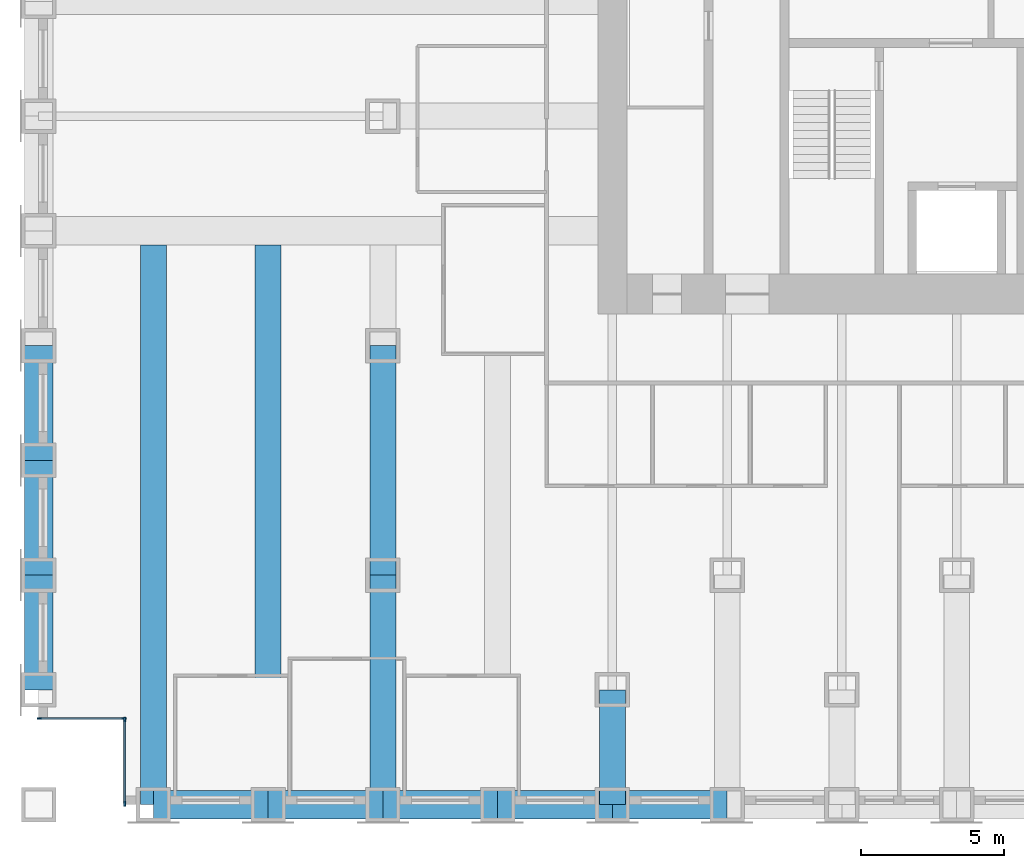
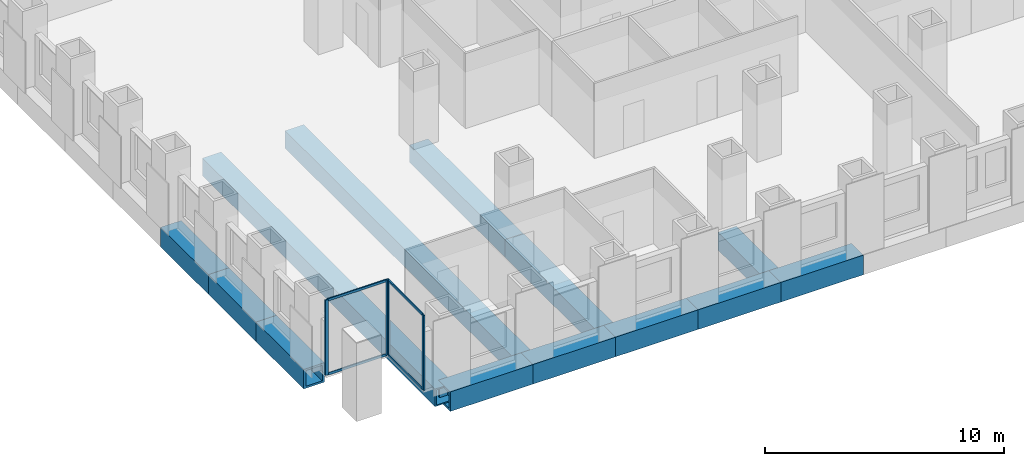
# One storey, part 2 of 15: 13 beams, 8 members, 2 elements without a shape of their own.
"""IFC4 building model written with IfcOpenShell, lengths in metres."""

from ifc_helpers import new_model, si_unit, direction, frame, origin, origin_2d, place, context, subcontext, project, spatial, rectangle, hollow_rectangle, extrude, material, material_profile, profile_set, type_object, element, aggregate, save


model = new_model("IFC4")

# Units and contexts
model_context = context("Model", 3, precision=1e-05, world=origin(), true_north=direction((0.0, 1.0)))
body_context = subcontext(model_context, "Body", "Model", "MODEL_VIEW")
ifc_project = project(units=[si_unit("LENGTHUNIT", "METRE"), si_unit("AREAUNIT", "SQUARE_METRE"), si_unit("VOLUMEUNIT", "CUBIC_METRE"), si_unit("PLANEANGLEUNIT", "RADIAN"), si_unit("MASSUNIT", "GRAM", prefix="KILO")], contexts=[model_context])

# Site, building, storey
site_placement = place(None, origin())
site = spatial("IfcSite", under=ifc_project, at=site_placement, CompositionType="ELEMENT")
building_placement = place(site_placement, origin())
building = spatial("IfcBuilding", under=site, at=building_placement, Name="Rimbunsela Tower", CompositionType="ELEMENT")
storey_placement = place(building_placement, frame((0.0, 0.0, 67.0)))
storey = spatial("IfcBuildingStorey", under=building, at=storey_placement, Name="L16", CompositionType="ELEMENT", Elevation=67.0)

# Beams
ifc_material_1 = material(Name="Steel BJ 55 (fy 410 MPa)", Category="steel")
ifc_material_profile_1 = material_profile(ifc_material_1, hollow_rectangle(XDim=1.0, YDim=1.0, WallThickness=0.10009765625, at=origin_2d()), Name="BOX 1000x1000x100")
ifc_profile_set_1 = profile_set([ifc_material_profile_1], Name="Steel BJ 55 (fy 410 MPa)")
beam_type_1 = type_object("IfcBeamType", Name="Beam BOX 1000x1000x100", PredefinedType="BEAM", material=ifc_profile_set_1)
for number, where, z_axis, x_axis, name in (
    (1, (-2.0, 4.0, -0.64990234375), (0.0, 1.0, 0.0), (-1.0, 0.0, 0.0), "Beam B3 L16"),
    (2, (-2.0, 8.0, -0.64990234375), (0.0, 1.0, 0.0), (-1.0, 0.0, 0.0), "Beam B3 L16"),
    (3, (-2.0, 12.0, -0.64990234375), (0.0, 1.0, 0.0), (-1.0, 0.0, 0.0), "Beam B3 L16"),
    (4, (2.0, 0.0, -0.64990234375), (1.0, 0.0, 0.0), (0.0, 1.0, 0.0), "Beam B3 L16"),
    (5, (6.0, 0.0, -0.64990234375), (1.0, 0.0, 0.0), (0.0, 1.0, 0.0), "Beam B3 L16"),
    (6, (10.0, 0.0, -0.64990234375), (1.0, 0.0, 0.0), (0.0, 1.0, 0.0), "Beam B3 L16"),
    (7, (14.0, 0.0, -0.64990234375), (1.0, 0.0, 0.0), (0.0, 1.0, 0.0), "Beam B3 L16"),
    (8, (18.0, 0.0, -0.64990234375), (1.0, 0.0, 0.0), (0.0, 1.0, 0.0), "Beam B3 L16"),
):
    element("IfcBeam", number, at=place(storey_placement, frame(where, z_axis=z_axis, x_axis=x_axis)), inside=storey, type_object=beam_type_1, Name=name, PredefinedType="BEAM", context=body_context, shape_type="SweptSolid", body=[
        extrude(hollow_rectangle(XDim=1.0, YDim=1.0, WallThickness=0.10009765625, at=origin_2d()), origin(), (0.0, 0.0, 1.0), 4.0),
    ])
ifc_material_2 = material(Name="Steel BJ 55 (fy 410 MPa)", Category="steel")
ifc_material_profile_2 = material_profile(ifc_material_2, hollow_rectangle(XDim=0.89990234375, YDim=0.89990234375, WallThickness=0.06005859375, at=origin_2d()), Name="BOX 900x900x60")
ifc_profile_set_2 = profile_set([ifc_material_profile_2], Name="Steel BJ 55 (fy 410 MPa)")
beam_type_2 = type_object("IfcBeamType", Name="Beam BOX 900x900x60", PredefinedType="BEAM", material=ifc_profile_set_2)
for number, where, z_axis, x_axis, name in (
    (9, (2.0, 0.0, -0.60009765625), (0.0, 1.0, 0.0), (-1.0, 0.0, 0.0), "Beam B1 L16"),
    (10, (6.0, 0.0, -0.60009765625), (0.0, 1.0, 0.0), (-1.0, 0.0, 0.0), "Beam B1 L16"),
):
    element("IfcBeam", number, at=place(storey_placement, frame(where, z_axis=z_axis, x_axis=x_axis)), inside=storey, type_object=beam_type_2, Name=name, PredefinedType="BEAM", context=body_context, shape_type="SweptSolid", body=[
        extrude(hollow_rectangle(XDim=0.89990234375, YDim=0.89990234375, WallThickness=0.06005859375, at=origin_2d()), origin(), (0.0, 0.0, 1.0), 19.5),
    ])
for number, where, z_axis, x_axis, name in (
    (11, (10.0, 0.0, -0.60009765625), (0.0, 1.0, 0.0), (-1.0, 0.0, 0.0), "Beam B1 L16"),
    (12, (10.0, 8.0, -0.60009765625), (0.0, 1.0, 0.0), (-1.0, 0.0, 0.0), "Beam B1 L16"),
):
    element("IfcBeam", number, at=place(storey_placement, frame(where, z_axis=z_axis, x_axis=x_axis)), inside=storey, type_object=beam_type_2, Name=name, PredefinedType="BEAM", context=body_context, shape_type="SweptSolid", body=[
        extrude(hollow_rectangle(XDim=0.89990234375, YDim=0.89990234375, WallThickness=0.06005859375, at=origin_2d()), origin(), (0.0, 0.0, 1.0), 8.0),
    ])
beam_placement = place(storey_placement, frame((18.0, 0.0, -0.60009765625), z_axis=(0.0, 1.0, 0.0), x_axis=(-1.0, 0.0, 0.0)))
element("IfcBeam", 13, at=beam_placement, inside=storey, type_object=beam_type_2, Name="Beam B1 L16", PredefinedType="BEAM", context=body_context, shape_type="SweptSolid", body=[
    extrude(hollow_rectangle(XDim=0.89990234375, YDim=0.89990234375, WallThickness=0.06005859375, at=origin_2d()), origin(), (0.0, 0.0, 1.0), 4.0),
])

# Curtain wall, members
ifc_material_3 = material(Name="Aluminium curtain wall", Category="aluminium")
curtain_wall_type = type_object("IfcCurtainWallType", Name="Corner glazing", PredefinedType="USERDEFINED", material=ifc_material_3)
curtain_wall_1_placement = place(storey_placement, origin())
curtain_wall_1 = element("IfcCurtainWall", 14, at=curtain_wall_1_placement, inside=storey, type_object=curtain_wall_type, Name="Corner glazing L16", ObjectType="CORNER GLAZING", PredefinedType="USERDEFINED")
ifc_material_4 = material(Name="Aluminium mullion", Category="aluminium")
ifc_material_profile_3 = material_profile(ifc_material_4, rectangle(XDim=0.06005859375, YDim=0.159912109375, at=origin_2d()), Name="Mullion 60x160")
ifc_profile_set_3 = profile_set([ifc_material_profile_3], Name="Aluminium mullion")
member_type_1 = type_object("IfcMemberType", Name="Curtain wall mullion 60x160", PredefinedType="MULLION", material=ifc_profile_set_3)
member_1_placement = place(storey_placement, frame((-1.969970703125, 3.0, 0.0), z_axis=(0.0, 0.0, 1.0), x_axis=(0.0, 1.0, 0.0)))
member_1 = element("IfcMember", 15, at=member_1_placement, type_object=member_type_1, Name="CW5 mullion 1", PredefinedType="MULLION", context=body_context, shape_type="SweptSolid", body=[
    extrude(rectangle(XDim=0.06005859375, YDim=0.159912109375, at=origin_2d()), origin(), (0.0, 0.0, 1.0), 3.85009765625),
])
member_2_placement = place(storey_placement, frame((0.969970703125, 3.0, 0.0), z_axis=(0.0, 0.0, 1.0), x_axis=(0.0, 1.0, 0.0)))
member_2 = element("IfcMember", 16, at=member_2_placement, type_object=member_type_1, Name="CW5 mullion 2", PredefinedType="MULLION", context=body_context, shape_type="SweptSolid", body=[
    extrude(rectangle(XDim=0.06005859375, YDim=0.159912109375, at=origin_2d()), origin(), (0.0, 0.0, 1.0), 3.85009765625),
])

curtain_wall_2_placement = place(storey_placement, origin())
curtain_wall_2 = element("IfcCurtainWall", 17, at=curtain_wall_2_placement, inside=storey, type_object=curtain_wall_type, Name="Corner glazing L16", ObjectType="CORNER GLAZING", PredefinedType="USERDEFINED")
member_3_placement = place(storey_placement, frame((1.0, 2.969970703125, 0.0), z_axis=(0.0, 0.0, 1.0), x_axis=(1.0, 0.0, 0.0)))
member_3 = element("IfcMember", 18, at=member_3_placement, type_object=member_type_1, Name="CW5 mullion 1", PredefinedType="MULLION", context=body_context, shape_type="SweptSolid", body=[
    extrude(rectangle(XDim=0.06005859375, YDim=0.159912109375, at=origin_2d()), origin(), (0.0, 0.0, 1.0), 3.85009765625),
])
member_4_placement = place(storey_placement, frame((1.0, 0.030029296875, 0.0), z_axis=(0.0, 0.0, 1.0), x_axis=(1.0, 0.0, 0.0)))
member_4 = element("IfcMember", 19, at=member_4_placement, type_object=member_type_1, Name="CW5 mullion 2", PredefinedType="MULLION", context=body_context, shape_type="SweptSolid", body=[
    extrude(rectangle(XDim=0.06005859375, YDim=0.159912109375, at=origin_2d()), origin(), (0.0, 0.0, 1.0), 3.85009765625),
])

# Member
ifc_material_5 = material(Name="Aluminium transom", Category="aluminium")
ifc_material_profile_4 = material_profile(ifc_material_5, rectangle(XDim=0.06005859375, YDim=0.1201171875, at=origin_2d()), Name="Transom 60x120")
ifc_profile_set_4 = profile_set([ifc_material_profile_4], Name="Aluminium transom")
member_type_2 = type_object("IfcMemberType", Name="Curtain wall transom 60x120", PredefinedType="USERDEFINED", material=ifc_profile_set_4)
member_5_placement = place(storey_placement, frame((-1.93994140625, 3.0, 0.030029296875), z_axis=(1.0, 0.0, 0.0), x_axis=(0.0, 1.0, 0.0)))
member_5 = element("IfcMember", 20, at=member_5_placement, type_object=member_type_2, Name="CW5 transom 1.1", ObjectType="TRANSOM", PredefinedType="USERDEFINED", context=body_context, shape_type="SweptSolid", body=[
    extrude(rectangle(XDim=0.06005859375, YDim=0.1201171875, at=origin_2d()), origin(), (0.0, 0.0, 1.0), 2.8798828125),
])

member_6_placement = place(storey_placement, frame((-1.93994140625, 3.0, 3.820068359375), z_axis=(1.0, 0.0, 0.0), x_axis=(0.0, 1.0, 0.0)))
member_6 = element("IfcMember", 21, at=member_6_placement, type_object=member_type_2, Name="CW5 transom 1.2", ObjectType="TRANSOM", PredefinedType="USERDEFINED", context=body_context, shape_type="SweptSolid", body=[
    extrude(rectangle(XDim=0.06005859375, YDim=0.1201171875, at=origin_2d()), origin(), (0.0, 0.0, 1.0), 2.8798828125),
])

aggregate(curtain_wall_1, [member_1, member_2, member_5, member_6])

member_7_placement = place(storey_placement, frame((1.0, 2.93994140625, 0.030029296875), z_axis=(0.0, -1.0, 0.0), x_axis=(1.0, 0.0, 0.0)))
member_7 = element("IfcMember", 22, at=member_7_placement, type_object=member_type_2, Name="CW5 transom 1.1", ObjectType="TRANSOM", PredefinedType="USERDEFINED", context=body_context, shape_type="SweptSolid", body=[
    extrude(rectangle(XDim=0.06005859375, YDim=0.1201171875, at=origin_2d()), origin(), (0.0, 0.0, 1.0), 2.8798828125),
])

member_8_placement = place(storey_placement, frame((1.0, 2.93994140625, 3.820068359375), z_axis=(0.0, -1.0, 0.0), x_axis=(1.0, 0.0, 0.0)))
member_8 = element("IfcMember", 23, at=member_8_placement, type_object=member_type_2, Name="CW5 transom 1.2", ObjectType="TRANSOM", PredefinedType="USERDEFINED", context=body_context, shape_type="SweptSolid", body=[
    extrude(rectangle(XDim=0.06005859375, YDim=0.1201171875, at=origin_2d()), origin(), (0.0, 0.0, 1.0), 2.8798828125),
])

aggregate(curtain_wall_2, [member_3, member_4, member_7, member_8])

save(model, "model.ifc")
